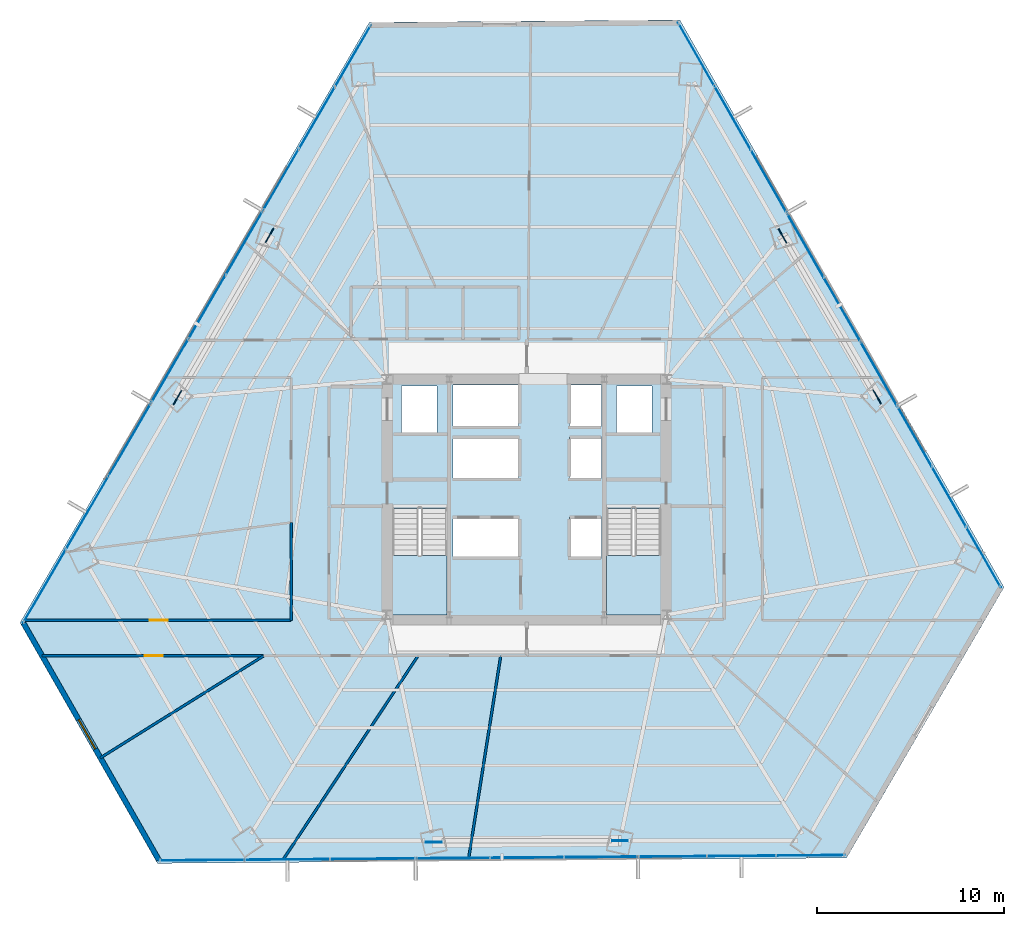
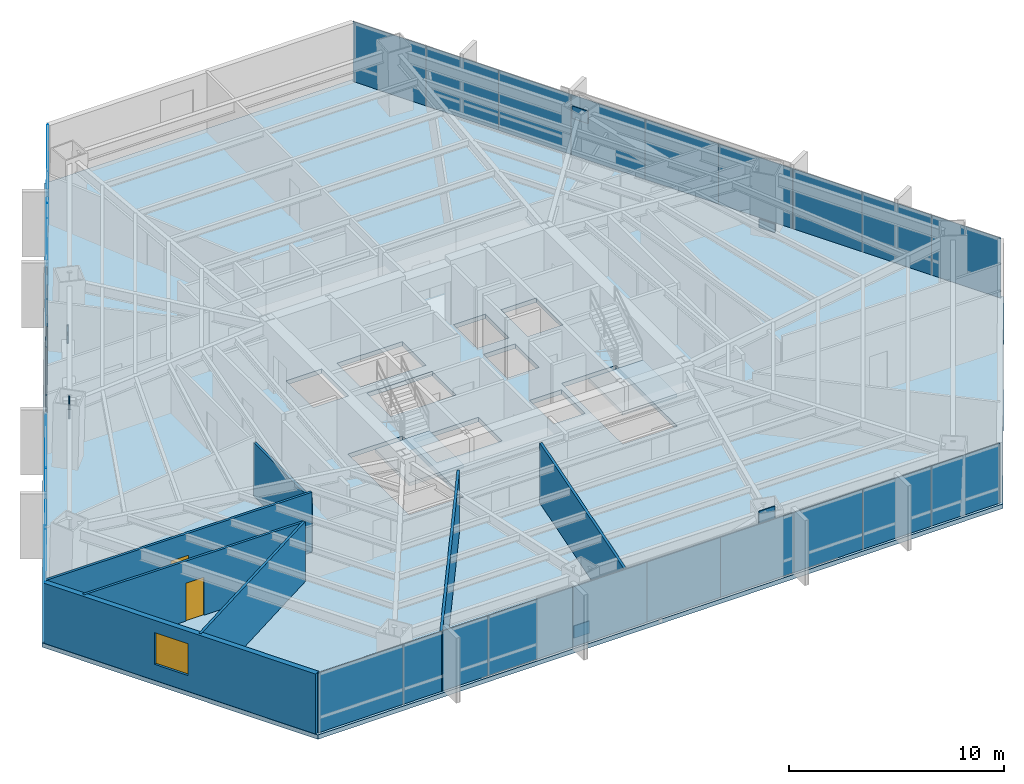
# One storey, part 28 of 34: 33 plates, 7 walls, 3 slabs, 2 doors, 1 window, 3 openings, 11 elements without a shape of their own.
"""IFC4 building model written with IfcOpenShell, lengths in metres."""

from ifc_helpers import new_model, si_unit, direction, frame, frame_2d, origin, origin_2d, place, context, subcontext, project, spatial, polyline, rectangle, outline, extrude, source, transform, mapped, material, layer, layer_set, type_object, type_shapes, element, fill, aggregate, save


model = new_model("IFC4")

# Units and contexts
model_context = context("Model", 3, precision=1e-05, world=origin(), true_north=direction((0.0, 1.0)))
body_context = subcontext(model_context, "Body", "Model", "MODEL_VIEW")
ifc_project = project(units=[si_unit("LENGTHUNIT", "METRE"), si_unit("AREAUNIT", "SQUARE_METRE"), si_unit("VOLUMEUNIT", "CUBIC_METRE"), si_unit("PLANEANGLEUNIT", "RADIAN"), si_unit("MASSUNIT", "GRAM", prefix="KILO")], contexts=[model_context])

# Site, building, storey
site_placement = place(None, origin())
site = spatial("IfcSite", under=ifc_project, at=site_placement, CompositionType="ELEMENT")
building_placement = place(site_placement, origin())
building = spatial("IfcBuilding", under=site, at=building_placement, Name="Caelisora Broadcast Tower", CompositionType="ELEMENT")
storey_placement = place(building_placement, frame((0.0, 0.0, 49.5)))
storey = spatial("IfcBuildingStorey", under=building, at=storey_placement, Name="L12", CompositionType="ELEMENT", Elevation=49.5)

# Slab
ifc_material_1 = material(Name="Concrete 40 MPa (AS 3600 N40)", Category="concrete")
ifc_layer_1 = layer(ifc_material_1, 0.25, Name="Concrete 40 MPa (AS 3600 N40)")
ifc_layer_set_1 = layer_set([ifc_layer_1], Name="Concrete 40 MPa (AS 3600 N40)")
slab_type_1 = type_object("IfcSlabType", Name="SL04", PredefinedType="FLOOR", material=ifc_layer_set_1)
slab_1_placement = place(storey_placement, frame((0.0, 0.0, -0.25)))
element("IfcSlab", 1, at=slab_1_placement, inside=storey, type_object=slab_type_1, Name="L12 suspended floor SL04", PredefinedType="FLOOR", context=body_context, shape_type="SweptSolid", body=[
    extrude(outline(polyline([(46.198974609375, 49.22998046875), (29.573974609375, 49.09912109375), (10.884033203125, 16.97412109375), (18.239990234375, 4.097900390625), (55.115966796875, 4.388916015625), (63.5419921875, 18.8720703125), (46.198974609375, 49.22998046875)]), holes=[polyline([(30.820068359375, 17.39990234375), (33.739990234375, 17.39990234375), (33.739990234375, 23.080078125), (30.820068359375, 23.080078125), (30.820068359375, 17.39990234375)]), polyline([(42.260009765625, 17.39990234375), (45.179931640625, 17.39990234375), (45.179931640625, 23.080078125), (42.260009765625, 23.080078125), (42.260009765625, 17.39990234375)]), polyline([(42.800048828125, 27.14990234375), (44.699951171875, 27.14990234375), (44.699951171875, 29.64990234375), (42.800048828125, 29.64990234375), (42.800048828125, 27.14990234375)]), polyline([(40.300048828125, 20.429931640625), (42.0, 20.429931640625), (42.0, 22.6298828125), (40.300048828125, 22.6298828125), (40.300048828125, 20.429931640625)]), polyline([(40.300048828125, 24.719970703125), (42.0, 24.719970703125), (42.0, 26.919921875), (40.300048828125, 26.919921875), (40.300048828125, 24.719970703125)]), polyline([(40.300048828125, 27.5), (42.0, 27.5), (42.0, 29.699951171875), (40.300048828125, 29.699951171875), (40.300048828125, 27.5)]), polyline([(34.050048828125, 20.429931640625), (37.550048828125, 20.429931640625), (37.550048828125, 22.6298828125), (34.050048828125, 22.6298828125), (34.050048828125, 20.429931640625)]), polyline([(34.050048828125, 24.719970703125), (37.550048828125, 24.719970703125), (37.550048828125, 26.919921875), (34.050048828125, 26.919921875), (34.050048828125, 24.719970703125)]), polyline([(34.050048828125, 27.5), (37.550048828125, 27.5), (37.550048828125, 29.699951171875), (34.050048828125, 29.699951171875), (34.050048828125, 27.5)]), polyline([(31.300048828125, 27.14990234375), (33.199951171875, 27.14990234375), (33.199951171875, 29.64990234375), (31.300048828125, 29.64990234375), (31.300048828125, 27.14990234375)])]), origin(), (0.0, 0.0, 1.0), 0.25),
])

# Stair, slab
stair_type_1 = type_object("IfcStairType", Name="ST-1", PredefinedType="HALF_TURN_STAIR", material=ifc_material_1)
stair_1_placement = place(storey_placement, origin())
stair_1 = element("IfcStair", 2, at=stair_1_placement, inside=storey, type_object=stair_type_1, Name="L12 West Fire-Isolated Tower Stair", PredefinedType="HALF_TURN_STAIR")
ifc_layer_2 = layer(ifc_material_1, 0.199951171875, Name="Concrete 40 MPa (AS 3600 N40)")
ifc_layer_set_2 = layer_set([ifc_layer_2], Name="Concrete 40 MPa (AS 3600 N40)")
slab_type_2 = type_object("IfcSlabType", Name="STL-1", PredefinedType="LANDING", material=ifc_layer_set_2)
slab_2_placement = place(storey_placement, frame((0.0, 0.0, 1.625)))
slab_2 = element("IfcSlab", 3, at=slab_2_placement, type_object=slab_type_2, Name="ST-1 landing 1", PredefinedType="LANDING", context=body_context, shape_type="SweptSolid", body=[
    extrude(outline(polyline([(30.820068359375, 20.580078125), (30.820068359375, 17.39990234375), (33.739990234375, 17.39990234375), (33.739990234375, 20.580078125), (30.820068359375, 20.580078125)])), origin(), (0.0, 0.0, 1.0), 0.199951171875),
])
aggregate(stair_1, [slab_2])

stair_type_2 = type_object("IfcStairType", Name="ST-2", PredefinedType="HALF_TURN_STAIR", material=ifc_material_1)
stair_2_placement = place(storey_placement, origin())
stair_2 = element("IfcStair", 4, at=stair_2_placement, inside=storey, type_object=stair_type_2, Name="L12 East Fire-Isolated Tower Stair", PredefinedType="HALF_TURN_STAIR")
slab_3_placement = place(storey_placement, frame((0.0, 0.0, 1.625)))
slab_3 = element("IfcSlab", 5, at=slab_3_placement, type_object=slab_type_2, Name="ST-2 landing 1", PredefinedType="LANDING", context=body_context, shape_type="SweptSolid", body=[
    extrude(outline(polyline([(42.260009765625, 20.580078125), (42.260009765625, 17.39990234375), (45.179931640625, 17.39990234375), (45.179931640625, 20.580078125), (42.260009765625, 20.580078125)])), origin(), (0.0, 0.0, 1.0), 0.199951171875),
])
aggregate(stair_2, [slab_3])

# Plates
ifc_material_2 = material(Name="Steel Grade 350 L15 (AS/NZS 3678)", Category="steel")
ifc_layer_3 = layer(ifc_material_2, 0.050048828125, Name="Steel Grade 350 L15 (AS/NZS 3678)")
ifc_layer_set_3 = layer_set([ifc_layer_3], Name="Steel Grade 350 L15 (AS/NZS 3678)")
plate_type_1 = type_object("IfcPlateType", Name="GP03", PredefinedType="USERDEFINED", material=ifc_layer_set_3)
shared_shape_1 = source(origin(), body_context, "Body", "SweptSolid", [
    extrude(rectangle(XDim=0.85009765625, YDim=0.050048828125, at=origin_2d()), origin(), (0.0, 0.0, 1.0), 0.699951171875),
])
type_shapes(plate_type_1, [shared_shape_1])
for number, where, z_axis, x_axis, name in (
    (6, (24.23583984375, 37.6923828125, -0.22998046875), (0.0, 0.0, 1.0), (-0.5, -0.866025403784, 0.0), "L12 gusset plate GP03 (ND-L12-C02B)"),
    (7, (19.314453125, 29.023681640625, 2.72998046875), (0.0, 0.0, 1.0), (-0.5, -0.866025403784, 0.0), "L12 gusset plate GP03 (ND-L12-C03T)"),
    (8, (33.024169921875, 5.23388671875, -0.22998046875), (0.0, 0.0, 1.0), (1.0, 0.0, 0.0), "L12 gusset plate GP03 (ND-L12-C06B)"),
    (9, (42.9921875, 5.30615234375, 2.72998046875), (0.0, 0.0, 1.0), (1.0, 0.0, 0.0), "L12 gusset plate GP03 (ND-L12-C07T)"),
    (10, (56.739990234375, 29.073974609375, -0.22998046875), (0.0, 0.0, 1.0), (-0.5, 0.866025403784, 0.0), "L12 gusset plate GP03 (ND-L12-C10B)"),
    (11, (51.693359375, 37.67041015625, 2.72998046875), (0.0, 0.0, 1.0), (-0.5, 0.866025403784, 0.0), "L12 gusset plate GP03 (ND-L12-C11T)"),
):
    element("IfcPlate", number, at=place(storey_placement, frame(where, z_axis=z_axis, x_axis=x_axis)), inside=storey, type_object=plate_type_1, Name=name, ObjectType="GUSSET PLATE", PredefinedType="USERDEFINED", context=body_context, shape_type="MappedRepresentation", body=[
        mapped(shared_shape_1, transform((0.0, 0.0, 0.0), scale=1.0)),
    ])

# Curtain wall, plates
ifc_material_3 = material(Name="Unitised Aluminium and Low-E Glass Curtain Wall", Category="glass")
curtain_wall_type_1 = type_object("IfcCurtainWallType", Name="CW-Z1", PredefinedType="NOTDEFINED", material=ifc_material_3)
curtain_wall_1_placement = place(storey_placement, origin())
curtain_wall_1 = element("IfcCurtainWall", 12, at=curtain_wall_1_placement, inside=storey, type_object=curtain_wall_type_1, Name="L12 curtain wall CW-Z1", PredefinedType="NOTDEFINED")
ifc_material_4 = material(Name="Double Glazed Low-E Argon IGU", Category="glass")
ifc_layer_4 = layer(ifc_material_4, 0.035888671875, Name="Double Glazed Low-E Argon IGU")
ifc_layer_set_4 = layer_set([ifc_layer_4], Name="Double Glazed Low-E Argon IGU")
plate_type_2 = type_object("IfcPlateType", Name="CWP-02", PredefinedType="CURTAIN_PANEL", material=ifc_layer_set_4)
shared_shape_2 = source(origin(), body_context, "Body", "SweptSolid", [
    extrude(rectangle(XDim=3.903564453125, YDim=0.035888671875, at=origin_2d()), origin(), (0.0, 0.0, 1.0), 3.39990234375),
])
plate_1_placement = place(storey_placement, frame((47.080078125, 47.38427734375, 0.0), z_axis=(0.0, 0.0, 1.0), x_axis=(0.496064966839, -0.868285407383, 0.0)))
plate_1 = element("IfcPlate", 13, at=plate_1_placement, type_object=plate_type_2, Name="L12-CW-B01 glazed panel #1", PredefinedType="CURTAIN_PANEL", context=body_context, shape_type="MappedRepresentation", body=[
    mapped(shared_shape_2, transform((0.0, 0.0, 0.0), scale=1.0)),
])
plate_2_placement = place(storey_placement, frame((49.0166015625, 43.994873046875, 0.0), z_axis=(0.0, 0.0, 1.0), x_axis=(0.496064966839, -0.868285407383, 0.0)))
plate_2 = element("IfcPlate", 14, at=plate_2_placement, type_object=plate_type_2, Name="L12-CW-B01 glazed panel #2", PredefinedType="CURTAIN_PANEL", context=body_context, shape_type="MappedRepresentation", body=[
    mapped(shared_shape_2, transform((0.0, 0.0, 0.0), scale=1.0)),
])
plate_3_placement = place(storey_placement, frame((50.952880859375, 40.60546875, 0.0), z_axis=(0.0, 0.0, 1.0), x_axis=(0.496064966839, -0.868285407383, 0.0)))
plate_3 = element("IfcPlate", 15, at=plate_3_placement, type_object=plate_type_2, Name="L12-CW-B01 glazed panel #3", PredefinedType="CURTAIN_PANEL", context=body_context, shape_type="MappedRepresentation", body=[
    mapped(shared_shape_2, transform((0.0, 0.0, 0.0), scale=1.0)),
])
aggregate(curtain_wall_1, [plate_1, plate_2, plate_3])

ifc_material_5 = material(Name="Unitised Aluminium Insulated Shadow-Box Spandrel Curtain Wall", Category="aluminium")
curtain_wall_type_2 = type_object("IfcCurtainWallType", Name="CW-SP1", PredefinedType="NOTDEFINED", material=ifc_material_5)
curtain_wall_2_placement = place(storey_placement, origin())
curtain_wall_2 = element("IfcCurtainWall", 16, at=curtain_wall_2_placement, inside=storey, type_object=curtain_wall_type_2, Name="L12 curtain wall CW-SP1", PredefinedType="NOTDEFINED")
ifc_material_6 = material(Name="Insulated Terracotta Shadow-Box Spandrel Panel", Category="aluminium")
ifc_layer_5 = layer(ifc_material_6, 0.0439453125, Name="Insulated Terracotta Shadow-Box Spandrel Panel")
ifc_layer_set_5 = layer_set([ifc_layer_5], Name="Insulated Terracotta Shadow-Box Spandrel Panel")
plate_type_3 = type_object("IfcPlateType", Name="CWP-10", PredefinedType="CURTAIN_PANEL", material=ifc_layer_set_5)
shared_shape_3 = source(origin(), body_context, "Body", "SweptSolid", [
    extrude(rectangle(XDim=3.9638671875, YDim=0.0439453125, at=origin_2d()), origin(), (0.0, 0.0, 1.0), 3.39990234375),
])
type_shapes(plate_type_3, [shared_shape_3])
plate_4_placement = place(storey_placement, frame((52.9091796875, 37.18115234375, 0.0), z_axis=(0.0, 0.0, 1.0), x_axis=(0.496064966839, -0.868285407383, 0.0)))
plate_4 = element("IfcPlate", 17, at=plate_4_placement, type_object=plate_type_3, Name="L12-CW-B02 spandrel panel #1", PredefinedType="CURTAIN_PANEL", context=body_context, shape_type="MappedRepresentation", body=[
    mapped(shared_shape_3, transform((0.0, 0.0, 0.0), scale=1.0)),
])
plate_5_placement = place(storey_placement, frame((54.87548828125, 33.739501953125, 0.0), z_axis=(0.0, 0.0, 1.0), x_axis=(0.496064966839, -0.868285407383, 0.0)))
plate_5 = element("IfcPlate", 18, at=plate_5_placement, type_object=plate_type_3, Name="L12-CW-B02 spandrel panel #2", PredefinedType="CURTAIN_PANEL", context=body_context, shape_type="MappedRepresentation", body=[
    mapped(shared_shape_3, transform((0.0, 0.0, 0.0), scale=1.0)),
])
plate_6_placement = place(storey_placement, frame((56.841796875, 30.297607421875, 0.0), z_axis=(0.0, 0.0, 1.0), x_axis=(0.496064966839, -0.868285407383, 0.0)))
plate_6 = element("IfcPlate", 19, at=plate_6_placement, type_object=plate_type_3, Name="L12-CW-B02 spandrel panel #3", PredefinedType="CURTAIN_PANEL", context=body_context, shape_type="MappedRepresentation", body=[
    mapped(shared_shape_3, transform((0.0, 0.0, 0.0), scale=1.0)),
])
aggregate(curtain_wall_2, [plate_4, plate_5, plate_6])

curtain_wall_3_placement = place(storey_placement, origin())
curtain_wall_3 = element("IfcCurtainWall", 20, at=curtain_wall_3_placement, inside=storey, type_object=curtain_wall_type_2, Name="L12 curtain wall CW-SP1", PredefinedType="NOTDEFINED")
plate_7_placement = place(storey_placement, frame((41.97021484375, 4.435302734375, 0.0), z_axis=(0.0, 0.0, 1.0), x_axis=(-0.999969157645, -0.007853900889, 0.0)))
plate_7 = element("IfcPlate", 21, at=plate_7_placement, type_object=plate_type_3, Name="L12-CW-B06 spandrel panel #1", PredefinedType="CURTAIN_PANEL", context=body_context, shape_type="MappedRepresentation", body=[
    mapped(shared_shape_3, transform((0.0, 0.0, 0.0), scale=1.0)),
])
plate_8_placement = place(storey_placement, frame((38.006591796875, 4.404052734375, 0.0), z_axis=(0.0, 0.0, 1.0), x_axis=(-0.999969157645, -0.007853900889, 0.0)))
plate_8 = element("IfcPlate", 22, at=plate_8_placement, type_object=plate_type_3, Name="L12-CW-B06 spandrel panel #2", PredefinedType="CURTAIN_PANEL", context=body_context, shape_type="MappedRepresentation", body=[
    mapped(shared_shape_3, transform((0.0, 0.0, 0.0), scale=1.0)),
])
plate_9_placement = place(storey_placement, frame((34.04296875, 4.372802734375, 0.0), z_axis=(0.0, 0.0, 1.0), x_axis=(-0.999969157645, -0.007853900889, 0.0)))
plate_9 = element("IfcPlate", 23, at=plate_9_placement, type_object=plate_type_3, Name="L12-CW-B06 spandrel panel #3", PredefinedType="CURTAIN_PANEL", context=body_context, shape_type="MappedRepresentation", body=[
    mapped(shared_shape_3, transform((0.0, 0.0, 0.0), scale=1.0)),
])
aggregate(curtain_wall_3, [plate_7, plate_8, plate_9])

curtain_wall_4_placement = place(storey_placement, origin())
curtain_wall_4 = element("IfcCurtainWall", 24, at=curtain_wall_4_placement, inside=storey, type_object=curtain_wall_type_2, Name="L12 curtain wall CW-SP1", PredefinedType="NOTDEFINED")
plate_10_placement = place(storey_placement, frame((18.900146484375, 30.4541015625, 0.0), z_axis=(0.0, 0.0, 1.0), x_axis=(0.50286909456, 0.864362582332, 0.0)))
plate_10 = element("IfcPlate", 25, at=plate_10_placement, type_object=plate_type_3, Name="L12-CW-B10 spandrel panel #1", PredefinedType="CURTAIN_PANEL", context=body_context, shape_type="MappedRepresentation", body=[
    mapped(shared_shape_3, transform((0.0, 0.0, 0.0), scale=1.0)),
])
plate_11_placement = place(storey_placement, frame((20.8935546875, 33.88037109375, 0.0), z_axis=(0.0, 0.0, 1.0), x_axis=(0.50286909456, 0.864362582332, 0.0)))
plate_11 = element("IfcPlate", 26, at=plate_11_placement, type_object=plate_type_3, Name="L12-CW-B10 spandrel panel #2", PredefinedType="CURTAIN_PANEL", context=body_context, shape_type="MappedRepresentation", body=[
    mapped(shared_shape_3, transform((0.0, 0.0, 0.0), scale=1.0)),
])
plate_12_placement = place(storey_placement, frame((22.886962890625, 37.306396484375, 0.0), z_axis=(0.0, 0.0, 1.0), x_axis=(0.50286909456, 0.864362582332, 0.0)))
plate_12 = element("IfcPlate", 27, at=plate_12_placement, type_object=plate_type_3, Name="L12-CW-B10 spandrel panel #3", PredefinedType="CURTAIN_PANEL", context=body_context, shape_type="MappedRepresentation", body=[
    mapped(shared_shape_3, transform((0.0, 0.0, 0.0), scale=1.0)),
])
aggregate(curtain_wall_4, [plate_10, plate_11, plate_12])

curtain_wall_5_placement = place(storey_placement, origin())
curtain_wall_5 = element("IfcCurtainWall", 28, at=curtain_wall_5_placement, inside=storey, type_object=curtain_wall_type_1, Name="L12 curtain wall CW-Z1", PredefinedType="NOTDEFINED")
shared_shape_4 = source(origin(), body_context, "Body", "SweptSolid", [
    extrude(rectangle(XDim=3.721923828125, YDim=0.035888671875, at=origin_2d()), origin(), (0.0, 0.0, 1.0), 3.39990234375),
])
plate_13_placement = place(storey_placement, frame((58.753173828125, 26.952392578125, 0.0), z_axis=(0.0, 0.0, 1.0), x_axis=(0.496064966839, -0.868285407383, 0.0)))
plate_13 = element("IfcPlate", 29, at=plate_13_placement, type_object=plate_type_2, Name="L12-CW-B03 glazed panel #1", PredefinedType="CURTAIN_PANEL", context=body_context, shape_type="MappedRepresentation", body=[
    mapped(shared_shape_4, transform((0.0, 0.0, 0.0), scale=1.0)),
])
plate_14_placement = place(storey_placement, frame((60.599609375, 23.720703125, 0.0), z_axis=(0.0, 0.0, 1.0), x_axis=(0.496064966839, -0.868285407383, 0.0)))
plate_14 = element("IfcPlate", 30, at=plate_14_placement, type_object=plate_type_2, Name="L12-CW-B03 glazed panel #2", PredefinedType="CURTAIN_PANEL", context=body_context, shape_type="MappedRepresentation", body=[
    mapped(shared_shape_4, transform((0.0, 0.0, 0.0), scale=1.0)),
])
plate_15_placement = place(storey_placement, frame((62.44580078125, 20.489013671875, 0.0), z_axis=(0.0, 0.0, 1.0), x_axis=(0.496064966839, -0.868285407383, 0.0)))
plate_15 = element("IfcPlate", 31, at=plate_15_placement, type_object=plate_type_2, Name="L12-CW-B03 glazed panel #3", PredefinedType="CURTAIN_PANEL", context=body_context, shape_type="MappedRepresentation", body=[
    mapped(shared_shape_4, transform((0.0, 0.0, 0.0), scale=1.0)),
])
aggregate(curtain_wall_5, [plate_13, plate_14, plate_15])

curtain_wall_6_placement = place(storey_placement, origin())
curtain_wall_6 = element("IfcCurtainWall", 32, at=curtain_wall_6_placement, inside=storey, type_object=curtain_wall_type_1, Name="L12 curtain wall CW-Z1", PredefinedType="NOTDEFINED")
shared_shape_5 = source(origin(), body_context, "Body", "SweptSolid", [
    extrude(rectangle(XDim=3.689208984375, YDim=0.035888671875, at=origin_2d()), origin(), (0.0, 0.0, 1.0), 3.39990234375),
])
plate_16_placement = place(storey_placement, frame((53.1845703125, 4.5234375, 0.0), z_axis=(0.0, 0.0, 1.0), x_axis=(-0.999969157645, -0.007853900889, 0.0)))
plate_16 = element("IfcPlate", 33, at=plate_16_placement, type_object=plate_type_2, Name="L12-CW-B05 glazed panel #1", PredefinedType="CURTAIN_PANEL", context=body_context, shape_type="MappedRepresentation", body=[
    mapped(shared_shape_5, transform((0.0, 0.0, 0.0), scale=1.0)),
])
plate_17_placement = place(storey_placement, frame((49.49560546875, 4.494384765625, 0.0), z_axis=(0.0, 0.0, 1.0), x_axis=(-0.999969157645, -0.007853900889, 0.0)))
plate_17 = element("IfcPlate", 34, at=plate_17_placement, type_object=plate_type_2, Name="L12-CW-B05 glazed panel #2", PredefinedType="CURTAIN_PANEL", context=body_context, shape_type="MappedRepresentation", body=[
    mapped(shared_shape_5, transform((0.0, 0.0, 0.0), scale=1.0)),
])
plate_18_placement = place(storey_placement, frame((45.806396484375, 4.46533203125, 0.0), z_axis=(0.0, 0.0, 1.0), x_axis=(-0.999969157645, -0.007853900889, 0.0)))
plate_18 = element("IfcPlate", 35, at=plate_18_placement, type_object=plate_type_2, Name="L12-CW-B05 glazed panel #3", PredefinedType="CURTAIN_PANEL", context=body_context, shape_type="MappedRepresentation", body=[
    mapped(shared_shape_5, transform((0.0, 0.0, 0.0), scale=1.0)),
])
aggregate(curtain_wall_6, [plate_16, plate_17, plate_18])

curtain_wall_7_placement = place(storey_placement, origin())
curtain_wall_7 = element("IfcCurtainWall", 36, at=curtain_wall_7_placement, inside=storey, type_object=curtain_wall_type_1, Name="L12 curtain wall CW-Z1", PredefinedType="NOTDEFINED")
shared_shape_6 = source(origin(), body_context, "Body", "SweptSolid", [
    extrude(rectangle(XDim=4.57470703125, YDim=0.035888671875, at=origin_2d()), origin(), (0.0, 0.0, 1.0), 3.39990234375),
])
plate_19_placement = place(storey_placement, frame((29.763671875, 4.339111328125, 0.0), z_axis=(0.0, 0.0, 1.0), x_axis=(-0.999969157645, -0.007853900889, 0.0)))
plate_19 = element("IfcPlate", 37, at=plate_19_placement, type_object=plate_type_2, Name="L12-CW-B07 glazed panel #1", PredefinedType="CURTAIN_PANEL", context=body_context, shape_type="MappedRepresentation", body=[
    mapped(shared_shape_6, transform((0.0, 0.0, 0.0), scale=1.0)),
])
plate_20_placement = place(storey_placement, frame((25.18896484375, 4.302978515625, 0.0), z_axis=(0.0, 0.0, 1.0), x_axis=(-0.999969157645, -0.007853900889, 0.0)))
plate_20 = element("IfcPlate", 38, at=plate_20_placement, type_object=plate_type_2, Name="L12-CW-B07 glazed panel #2", PredefinedType="CURTAIN_PANEL", context=body_context, shape_type="MappedRepresentation", body=[
    mapped(shared_shape_6, transform((0.0, 0.0, 0.0), scale=1.0)),
])
plate_21_placement = place(storey_placement, frame((20.6142578125, 4.26708984375, 0.0), z_axis=(0.0, 0.0, 1.0), x_axis=(-0.999969157645, -0.007853900889, 0.0)))
plate_21 = element("IfcPlate", 39, at=plate_21_placement, type_object=plate_type_2, Name="L12-CW-B07 glazed panel #3", PredefinedType="CURTAIN_PANEL", context=body_context, shape_type="MappedRepresentation", body=[
    mapped(shared_shape_6, transform((0.0, 0.0, 0.0), scale=1.0)),
])
aggregate(curtain_wall_7, [plate_19, plate_20, plate_21])

curtain_wall_8_placement = place(storey_placement, origin())
curtain_wall_8 = element("IfcCurtainWall", 40, at=curtain_wall_8_placement, inside=storey, type_object=curtain_wall_type_1, Name="L12 curtain wall CW-Z1", PredefinedType="NOTDEFINED")
shared_shape_7 = source(origin(), body_context, "Body", "SweptSolid", [
    extrude(rectangle(XDim=4.534912109375, YDim=0.035888671875, at=origin_2d()), origin(), (0.0, 0.0, 1.0), 3.39990234375),
])
plate_22_placement = place(storey_placement, frame((12.197265625, 18.932861328125, 0.0), z_axis=(0.0, 0.0, 1.0), x_axis=(0.50286909456, 0.864362582332, 0.0)))
plate_22 = element("IfcPlate", 41, at=plate_22_placement, type_object=plate_type_2, Name="L12-CW-B09 glazed panel #1", PredefinedType="CURTAIN_PANEL", context=body_context, shape_type="MappedRepresentation", body=[
    mapped(shared_shape_7, transform((0.0, 0.0, 0.0), scale=1.0)),
])
plate_23_placement = place(storey_placement, frame((14.477783203125, 22.852783203125, 0.0), z_axis=(0.0, 0.0, 1.0), x_axis=(0.50286909456, 0.864362582332, 0.0)))
plate_23 = element("IfcPlate", 42, at=plate_23_placement, type_object=plate_type_2, Name="L12-CW-B09 glazed panel #2", PredefinedType="CURTAIN_PANEL", context=body_context, shape_type="MappedRepresentation", body=[
    mapped(shared_shape_7, transform((0.0, 0.0, 0.0), scale=1.0)),
])
plate_24_placement = place(storey_placement, frame((16.75830078125, 26.7724609375, 0.0), z_axis=(0.0, 0.0, 1.0), x_axis=(0.50286909456, 0.864362582332, 0.0)))
plate_24 = element("IfcPlate", 43, at=plate_24_placement, type_object=plate_type_2, Name="L12-CW-B09 glazed panel #3", PredefinedType="CURTAIN_PANEL", context=body_context, shape_type="MappedRepresentation", body=[
    mapped(shared_shape_7, transform((0.0, 0.0, 0.0), scale=1.0)),
])
aggregate(curtain_wall_8, [plate_22, plate_23, plate_24])

curtain_wall_9_placement = place(storey_placement, origin())
curtain_wall_9 = element("IfcCurtainWall", 44, at=curtain_wall_9_placement, inside=storey, type_object=curtain_wall_type_1, Name="L12 curtain wall CW-Z1", PredefinedType="NOTDEFINED")
shared_shape_8 = source(origin(), body_context, "Body", "SweptSolid", [
    extrude(rectangle(XDim=3.826416015625, YDim=0.035888671875, at=origin_2d()), origin(), (0.0, 0.0, 1.0), 3.39990234375),
])
type_shapes(plate_type_2, [shared_shape_2, shared_shape_4, shared_shape_5, shared_shape_6, shared_shape_7, shared_shape_8])
plate_25_placement = place(storey_placement, frame((24.8505859375, 40.681884765625, 0.0), z_axis=(0.0, 0.0, 1.0), x_axis=(0.50286909456, 0.864362582332, 0.0)))
plate_25 = element("IfcPlate", 45, at=plate_25_placement, type_object=plate_type_2, Name="L12-CW-B11 glazed panel #1", PredefinedType="CURTAIN_PANEL", context=body_context, shape_type="MappedRepresentation", body=[
    mapped(shared_shape_8, transform((0.0, 0.0, 0.0), scale=1.0)),
])
plate_26_placement = place(storey_placement, frame((26.77490234375, 43.989013671875, 0.0), z_axis=(0.0, 0.0, 1.0), x_axis=(0.50286909456, 0.864362582332, 0.0)))
plate_26 = element("IfcPlate", 46, at=plate_26_placement, type_object=plate_type_2, Name="L12-CW-B11 glazed panel #2", PredefinedType="CURTAIN_PANEL", context=body_context, shape_type="MappedRepresentation", body=[
    mapped(shared_shape_8, transform((0.0, 0.0, 0.0), scale=1.0)),
])
plate_27_placement = place(storey_placement, frame((28.698974609375, 47.29638671875, 0.0), z_axis=(0.0, 0.0, 1.0), x_axis=(0.50286909456, 0.864362582332, 0.0)))
plate_27 = element("IfcPlate", 47, at=plate_27_placement, type_object=plate_type_2, Name="L12-CW-B11 glazed panel #3", PredefinedType="CURTAIN_PANEL", context=body_context, shape_type="MappedRepresentation", body=[
    mapped(shared_shape_8, transform((0.0, 0.0, 0.0), scale=1.0)),
])
aggregate(curtain_wall_9, [plate_25, plate_26, plate_27])

# Wall, opening, window
ifc_material_7 = material(Name="Insulated Terracotta Spandrel Wall System", Category="masonry")
ifc_layer_6 = layer(ifc_material_7, 0.280029296875, Name="Insulated Terracotta Spandrel Wall System")
ifc_layer_set_6 = layer_set([ifc_layer_6], Name="Insulated Terracotta Spandrel Wall System")
wall_type_1 = type_object("IfcWallType", Name="EW1", PredefinedType="STANDARD", material=ifc_layer_set_6)
wall_1_placement = place(storey_placement, frame((18.31201171875, 4.27490234375, 0.0), z_axis=(0.0, 0.0, 1.0), x_axis=(-0.496075884461, 0.868279169885, 0.0)))
wall_1 = element("IfcWall", 48, at=wall_1_placement, inside=storey, type_object=wall_type_1, Name="L12 exterior envelope wall EW1", PredefinedType="STANDARD", context=body_context, shape_type="SweptSolid", body=[
    extrude(rectangle(XDim=14.594482421875, YDim=0.280029296875, at=frame_2d((7.29736328125, 0.0))), origin(), (0.0, 0.0, 1.0), 3.39990234375),
])
opening_1_placement = place(wall_1_placement, frame((6.85009765625, 0.0, 0.89990234375)))
opening_1 = element("IfcOpeningElement", 49, at=opening_1_placement, cuts=wall_1, Name="Opening W01", PredefinedType="OPENING", context=body_context, shape_type="SweptSolid", body=[
    extrude(rectangle(XDim=1.800048828125, YDim=1.800048828125, at=frame_2d((0.89990234375, 0.89990234375))), frame((0.0, 0.152099609375, 0.0), z_axis=(0.0, -1.0, 0.0), x_axis=(1.0, 0.0, 0.0)), (0.0, 0.0, 1.0), 0.303955078125),
])
ifc_material_8 = material(Name="Double Glazed Terracotta-Framed Vision Window", Category="glass")
window_type = type_object("IfcWindowType", Name="W01", PartitioningType="SINGLE_PANEL", PredefinedType="WINDOW", material=ifc_material_8)
window_placement = place(opening_1_placement, origin())
window = element("IfcWindow", 50, at=window_placement, inside=storey, type_object=window_type, Name="L12 window W01 (L12-WN-CH4)", OverallHeight=1.800048828125, OverallWidth=1.800048828125, PartitioningType="SINGLE_PANEL", PredefinedType="WINDOW", context=body_context, shape_type="SweptSolid", body=[
    extrude(rectangle(XDim=1.800048828125, YDim=1.800048828125, at=frame_2d((0.89990234375, 0.89990234375))), frame((0.0, 0.030029296875, 0.0), z_axis=(0.0, -1.0, 0.0), x_axis=(1.0, 0.0, 0.0)), (0.0, 0.0, 1.0), 0.06005859375),
])
fill(opening_1, window)

# Wall, opening, door
ifc_material_9 = material(Name="Acoustic Steel-Stud Plasterboard Partition", Category="gypsum")
ifc_layer_7 = layer(ifc_material_9, 0.1298828125, Name="Acoustic Steel-Stud Plasterboard Partition")
ifc_layer_set_7 = layer_set([ifc_layer_7], Name="Acoustic Steel-Stud Plasterboard Partition")
wall_type_2 = type_object("IfcWallType", Name="PW3", PredefinedType="PARTITIONING", material=ifc_layer_set_7)
wall_2_placement = place(storey_placement, frame((11.125, 17.10009765625, 0.0), z_axis=(0.0, 0.0, 1.0), x_axis=(1.0, 0.0, 0.0)))
wall_2 = element("IfcWall", 51, at=wall_2_placement, inside=storey, type_object=wall_type_2, Name="L12 internal partition PW3", PredefinedType="PARTITIONING", context=body_context, shape_type="SweptSolid", body=[
    extrude(rectangle(XDim=14.27001953125, YDim=0.1298828125, at=frame_2d((7.135009765625, 0.0))), origin(), (0.0, 0.0, 1.0), 3.39990234375),
])
opening_2_placement = place(wall_2_placement, frame((6.70703125, 0.0, 0.0)))
opening_2 = element("IfcOpeningElement", 52, at=opening_2_placement, cuts=wall_2, Name="Opening D01", PredefinedType="OPENING", context=body_context, shape_type="SweptSolid", body=[
    extrude(rectangle(XDim=0.9599609375, YDim=2.14990234375, at=frame_2d((0.47998046875, 1.074951171875))), frame((0.0, 0.076904296875, 0.0), z_axis=(0.0, -1.0, 0.0), x_axis=(1.0, 0.0, 0.0)), (0.0, 0.0, 1.0), 0.15380859375),
])
ifc_material_10 = material(Name="Solid-Core Timber Acoustic Office Door", Category="wood")
door_type = type_object("IfcDoorType", Name="D01", OperationType="NOTDEFINED", PredefinedType="DOOR", material=ifc_material_10)
door_1_placement = place(opening_2_placement, origin())
door_1 = element("IfcDoor", 53, at=door_1_placement, inside=storey, type_object=door_type, Name="L12 door D01 (L12-DR-P29D1)", OperationType="SINGLE_SWING_RIGHT", OverallHeight=2.14990234375, OverallWidth=0.9599609375, PredefinedType="DOOR", context=body_context, shape_type="SweptSolid", body=[
    extrude(rectangle(XDim=0.9599609375, YDim=2.14990234375, at=frame_2d((0.47998046875, 1.074951171875))), frame((0.0, 0.02490234375, 0.0), z_axis=(0.0, -1.0, 0.0), x_axis=(1.0, 0.0, 0.0)), (0.0, 0.0, 1.0), 0.050048828125),
])
fill(opening_2, door_1)

# Wall
wall_3_placement = place(storey_placement, frame((24.963623046875, 4.296142578125, 0.0), z_axis=(0.0, 0.0, 1.0), x_axis=(0.551877980422, 0.83392487355, 0.0)))
element("IfcWall", 54, at=wall_3_placement, inside=storey, type_object=wall_type_2, Name="L12 internal partition PW3", PredefinedType="PARTITIONING", context=body_context, shape_type="SweptSolid", body=[
    extrude(rectangle(XDim=13.070556640625, YDim=0.1298828125, at=frame_2d((6.53515625, 0.0))), origin(), (0.0, 0.0, 1.0), 3.39990234375),
])

# Wall, opening, door
wall_4_placement = place(storey_placement, frame((12.064453125, 15.199951171875, 0.0), z_axis=(0.0, 0.0, 1.0), x_axis=(1.0, 0.0, 0.0)))
wall_4 = element("IfcWall", 55, at=wall_4_placement, inside=storey, type_object=wall_type_2, Name="L12 internal partition PW3", PredefinedType="PARTITIONING", context=body_context, shape_type="SweptSolid", body=[
    extrude(rectangle(XDim=11.8505859375, YDim=0.1298828125, at=frame_2d((5.92529296875, 0.0))), origin(), (0.0, 0.0, 1.0), 3.39990234375),
])
opening_3_placement = place(wall_4_placement, frame((5.4970703125, 0.0, 0.0)))
opening_3 = element("IfcOpeningElement", 56, at=opening_3_placement, cuts=wall_4, Name="Opening D01", PredefinedType="OPENING", context=body_context, shape_type="SweptSolid", body=[
    extrude(rectangle(XDim=0.9599609375, YDim=2.14990234375, at=frame_2d((0.47998046875, 1.074951171875))), frame((0.0, 0.076904296875, 0.0), z_axis=(0.0, -1.0, 0.0), x_axis=(1.0, 0.0, 0.0)), (0.0, 0.0, 1.0), 0.15380859375),
])
door_2_placement = place(opening_3_placement, origin())
door_2 = element("IfcDoor", 57, at=door_2_placement, inside=storey, type_object=door_type, Name="L12 door D01 (L12-DR-P35D1)", OperationType="SINGLE_SWING_RIGHT", OverallHeight=2.14990234375, OverallWidth=0.9599609375, PredefinedType="DOOR", context=body_context, shape_type="SweptSolid", body=[
    extrude(rectangle(XDim=0.9599609375, YDim=2.14990234375, at=frame_2d((0.47998046875, 1.074951171875))), frame((0.0, 0.02490234375, 0.0), z_axis=(0.0, -1.0, 0.0), x_axis=(1.0, 0.0, 0.0)), (0.0, 0.0, 1.0), 0.050048828125),
])
fill(opening_3, door_2)

# Walls
wall_5_placement = place(storey_placement, frame((34.89501953125, 4.37451171875, 0.0), z_axis=(0.0, 0.0, 1.0), x_axis=(0.156439752531, 0.987687503124, 0.0)))
element("IfcWall", 58, at=wall_5_placement, inside=storey, type_object=wall_type_2, Name="L12 internal partition PW3", PredefinedType="PARTITIONING", context=body_context, shape_type="SweptSolid", body=[
    extrude(rectangle(XDim=10.95556640625, YDim=0.1298828125, at=frame_2d((5.477783203125, 0.0))), origin(), (0.0, 0.0, 1.0), 3.39990234375),
])
wall_6_placement = place(storey_placement, frame((15.182861328125, 9.74169921875, 0.0), z_axis=(0.0, 0.0, 1.0), x_axis=(0.848124821136, 0.529796458815, 0.0)))
element("IfcWall", 59, at=wall_6_placement, inside=storey, type_object=wall_type_2, Name="L12 internal partition PW3", PredefinedType="PARTITIONING", context=body_context, shape_type="SweptSolid", body=[
    extrude(rectangle(XDim=10.297119140625, YDim=0.1298828125, at=frame_2d((5.1484375, 0.0))), origin(), (0.0, 0.0, 1.0), 3.39990234375),
])
wall_7_placement = place(storey_placement, frame((25.39990234375, 17.10498046875, 0.0), z_axis=(0.0, 0.0, 1.0), x_axis=(0.0, 1.0, 0.0)))
element("IfcWall", 60, at=wall_7_placement, inside=storey, type_object=wall_type_2, Name="L12 internal partition PW3", PredefinedType="PARTITIONING", context=body_context, shape_type="SweptSolid", body=[
    extrude(rectangle(XDim=5.22998046875, YDim=0.1298828125, at=frame_2d((2.614990234375, 0.0))), origin(), (0.0, 0.0, 1.0), 3.0263671875),
])

save(model, "model.ifc")
